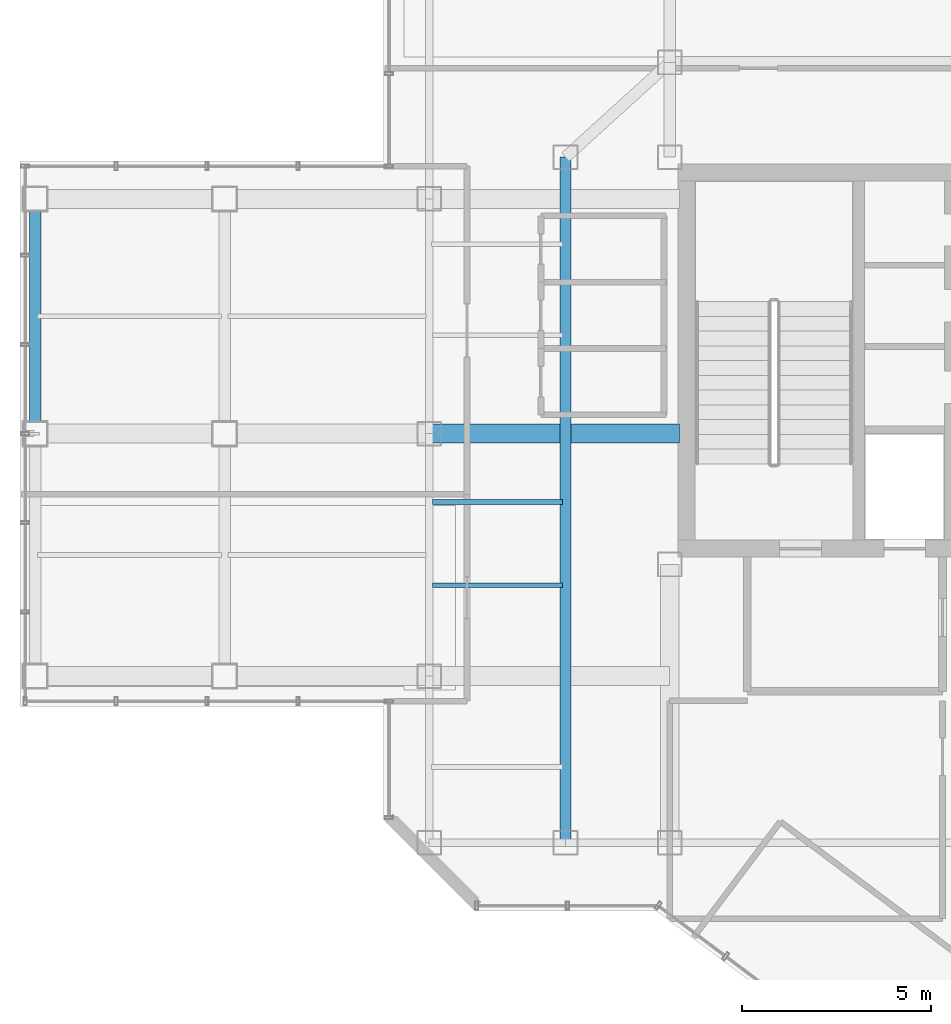
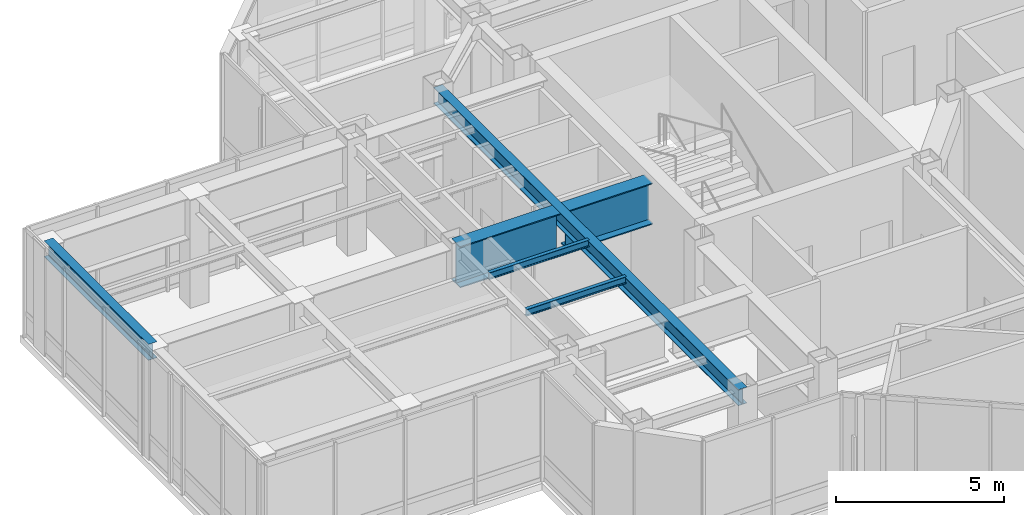
# One storey, part 6 of 22: 6 beams.
"""IFC4 building model written with IfcOpenShell, lengths in metres."""

from ifc_helpers import new_model, si_unit, direction, frame, origin, origin_2d, place, context, subcontext, project, spatial, i_section, extrude, material, material_profile, profile_set, type_object, element, save


model = new_model("IFC4")

# Units and contexts
model_context = context("Model", 3, precision=1e-05, world=origin(), true_north=direction((0.0, 1.0)))
body_context = subcontext(model_context, "Body", "Model", "MODEL_VIEW")
ifc_project = project(units=[si_unit("LENGTHUNIT", "METRE"), si_unit("AREAUNIT", "SQUARE_METRE"), si_unit("VOLUMEUNIT", "CUBIC_METRE"), si_unit("PLANEANGLEUNIT", "RADIAN"), si_unit("MASSUNIT", "GRAM", prefix="KILO")], contexts=[model_context])

# Site, building, storey
site_placement = place(None, origin())
site = spatial("IfcSite", under=ifc_project, at=site_placement, CompositionType="ELEMENT")
building_placement = place(site_placement, origin())
building = spatial("IfcBuilding", under=site, at=building_placement, Name="Hatsunagi Terrace Concourse", CompositionType="ELEMENT")
storey_placement = place(building_placement, frame((0.0, 0.0, 261.75)))
storey = spatial("IfcBuildingStorey", under=building, at=storey_placement, Name="L69", CompositionType="ELEMENT", Elevation=261.75)

# Beams
ifc_material_1 = material(Name="Steel SN490B", Category="steel")
ifc_material_profile_1 = material_profile(ifc_material_1, i_section(OverallWidth=0.125, OverallDepth=0.25, WebThickness=0.006103515625, FlangeThickness=0.009033203125, FilletRadius=0.008056640625, at=origin_2d()), Name="H-250x125x6x9")
ifc_profile_set_1 = profile_set([ifc_material_profile_1], Name="Steel SN490B")
beam_type_1 = type_object("IfcBeamType", Name="CrownJoist_H_250x125", PredefinedType="JOIST", material=ifc_profile_set_1)
for number, where, z_axis, x_axis, name in (
    (1, (19.284912109375, 32.0, 3.824951171875), (1.0, 0.0, 0.0), (0.0, 1.0, 0.0), "Beam J-04 J-L69-W-19-320"),
    (2, (19.284912109375, 34.199951171875, 3.824951171875), (1.0, 0.0, 0.0), (0.0, 1.0, 0.0), "Beam J-04 J-L69-W-19-342"),
):
    element("IfcBeam", number, at=place(storey_placement, frame(where, z_axis=z_axis, x_axis=x_axis)), inside=storey, type_object=beam_type_1, Name=name, PredefinedType="JOIST", context=body_context, shape_type="SweptSolid", body=[
        extrude(i_section(OverallWidth=0.125, OverallDepth=0.25, WebThickness=0.006103515625, FlangeThickness=0.009033203125, FilletRadius=0.008056640625, at=origin_2d()), origin(), (0.0, 0.0, 1.0), 3.43017578125),
    ])
ifc_material_2 = material(Name="Steel SN490B", Category="steel")
ifc_material_profile_2 = material_profile(ifc_material_2, i_section(OverallWidth=0.300048828125, OverallDepth=0.587890625, WebThickness=0.011962890625, FlangeThickness=0.02001953125, FilletRadius=0.01806640625, at=origin_2d()), Name="H-588x300x12x20")
ifc_profile_set_2 = profile_set([ifc_material_profile_2], Name="Steel SN490B")
beam_type_2 = type_object("IfcBeamType", Name="OfficeHighGirder_H_588x300", PredefinedType="BEAM", material=ifc_profile_set_2)
beam_1_placement = place(storey_placement, frame((8.800048828125, 36.0, 3.656005859375), z_axis=(0.0, 1.0, 0.0), x_axis=(-1.0, 0.0, 0.0)))
element("IfcBeam", 3, at=beam_1_placement, inside=storey, type_object=beam_type_2, Name="Beam G-06 SLT-L69-NS-2B", PredefinedType="BEAM", context=body_context, shape_type="SweptSolid", body=[
    extrude(i_section(OverallWidth=0.300048828125, OverallDepth=0.587890625, WebThickness=0.011962890625, FlangeThickness=0.02001953125, FilletRadius=0.01806640625, at=origin_2d()), origin(), (0.0, 0.0, 1.0), 6.199951171875),
])
beam_2_placement = place(storey_placement, frame((22.800048828125, 25.199951171875, 3.656005859375), z_axis=(0.0, 1.0, 0.0), x_axis=(-1.0, 0.0, 0.0)))
element("IfcBeam", 4, at=beam_2_placement, inside=storey, type_object=beam_type_2, Name="Beam G-06 BM-L69-CWNS", PredefinedType="BEAM", context=body_context, shape_type="SweptSolid", body=[
    extrude(i_section(OverallWidth=0.300048828125, OverallDepth=0.587890625, WebThickness=0.011962890625, FlangeThickness=0.02001953125, FilletRadius=0.01806640625, at=origin_2d()), origin(), (0.0, 0.0, 1.0), 18.10009765625),
])
ifc_material_3 = material(Name="Steel SN490C", Category="steel")
ifc_material_profile_3 = material_profile(ifc_material_3, i_section(OverallWidth=0.5, OverallDepth=1.5, WebThickness=0.028076171875, FlangeThickness=0.0380859375, at=origin_2d()), Name="BH-1500x500x28x38")
ifc_profile_set_3 = profile_set([ifc_material_profile_3], Name="Steel SN490C")
beam_type_3 = type_object("IfcBeamType", Name="SkyLoungeTrussGirder_BH_1500x500x28x38", PredefinedType="USERDEFINED", material=ifc_profile_set_3)
beam_3_placement = place(storey_placement, frame((25.81005859375, 36.0, 3.199951171875), z_axis=(-1.0, 0.0, 0.0), x_axis=(0.0, -1.0, 0.0)))
element("IfcBeam", 5, at=beam_3_placement, inside=storey, type_object=beam_type_3, Name="Transfer girder SLT-01 SLT-L69-BS-2", ObjectType="TRANSFER_GIRDER", PredefinedType="USERDEFINED", context=body_context, shape_type="SweptSolid", body=[
    extrude(i_section(OverallWidth=0.5, OverallDepth=1.5, WebThickness=0.028076171875, FlangeThickness=0.0380859375, at=origin_2d()), origin(), (0.0, 0.0, 1.0), 2.860107421875),
])
beam_4_placement = place(storey_placement, frame((22.64990234375, 36.0, 3.199951171875), z_axis=(-1.0, 0.0, 0.0), x_axis=(0.0, -1.0, 0.0)))
element("IfcBeam", 6, at=beam_4_placement, inside=storey, type_object=beam_type_3, Name="Transfer girder SLT-01 SLT-L69-BSW-2", ObjectType="TRANSFER_GIRDER", PredefinedType="USERDEFINED", context=body_context, shape_type="SweptSolid", body=[
    extrude(i_section(OverallWidth=0.5, OverallDepth=1.5, WebThickness=0.028076171875, FlangeThickness=0.0380859375, at=origin_2d()), origin(), (0.0, 0.0, 1.0), 3.449951171875),
])

save(model, "model.ifc")
